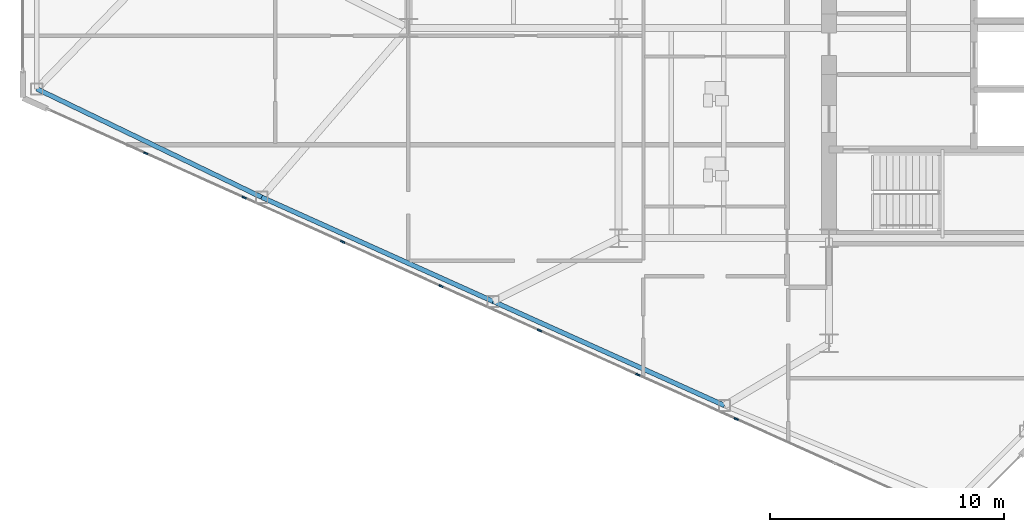
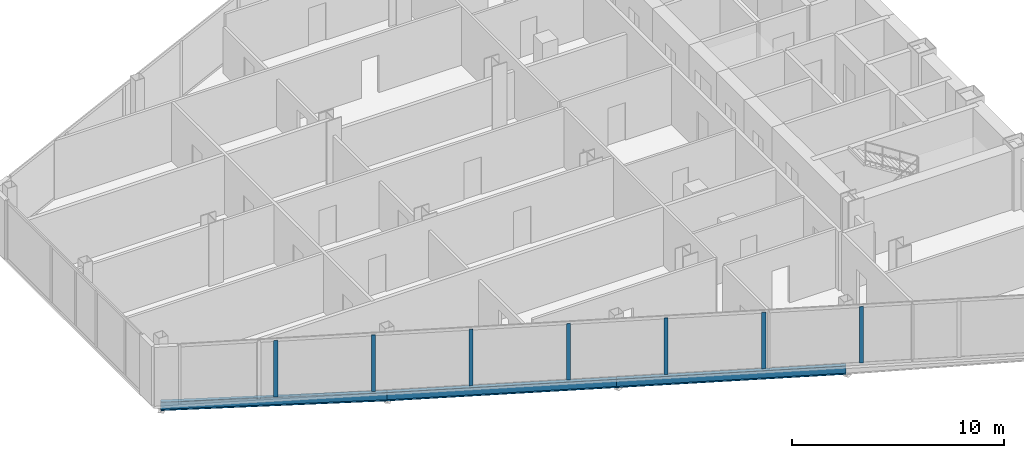
# One storey, part 3 of 27: 7 members, 3 beams, 1 element without a shape of its own.
"""IFC4 building model written with IfcOpenShell, lengths in metres."""

from ifc_helpers import new_model, si_unit, direction, frame, origin, origin_2d, place, context, subcontext, project, spatial, rectangle, i_section, extrude, source, transform, mapped, material, layer, layer_set, material_profile, profile_set, type_object, type_shapes, element, aggregate, save


model = new_model("IFC4")

# Units and contexts
model_context = context("Model", 3, precision=1e-05, world=origin(), true_north=direction((0.0, 1.0)))
body_context = subcontext(model_context, "Body", "Model", "MODEL_VIEW")
ifc_project = project(units=[si_unit("LENGTHUNIT", "METRE"), si_unit("AREAUNIT", "SQUARE_METRE"), si_unit("VOLUMEUNIT", "CUBIC_METRE"), si_unit("PLANEANGLEUNIT", "RADIAN"), si_unit("MASSUNIT", "GRAM", prefix="KILO")], contexts=[model_context])

# Site, building, storey
site_placement = place(None, origin())
site = spatial("IfcSite", under=ifc_project, at=site_placement, CompositionType="ELEMENT")
building_placement = place(site_placement, origin())
building = spatial("IfcBuilding", under=site, at=building_placement, Name="Seokmaru Belvedere", CompositionType="ELEMENT")
storey_placement = place(building_placement, frame((0.0, 0.0, 72.89990234375)))
storey = spatial("IfcBuildingStorey", under=building, at=storey_placement, Name="L19", CompositionType="ELEMENT", Elevation=72.89990234375)

# Beams
ifc_material_1 = material(Name="Steel SM355 (355 MPa)", Category="steel")
ifc_material_profile_1 = material_profile(ifc_material_1, i_section(OverallWidth=0.199951171875, OverallDepth=0.5, WebThickness=0.010009765625, FlangeThickness=0.01611328125, at=origin_2d()), Name="H-500x200x10x16")
ifc_profile_set_1 = profile_set([ifc_material_profile_1], Name="Steel SM355 (355 MPa)")
beam_type = type_object("IfcBeamType", Name="Perimeter Spandrel Beam H-500", PredefinedType="SPANDREL", material=ifc_profile_set_1)
shared_shape_1 = source(origin(), body_context, "Body", "SweptSolid", [
    extrude(i_section(OverallWidth=0.199951171875, OverallDepth=0.5, WebThickness=0.010009765625, FlangeThickness=0.01611328125, at=origin_2d()), origin(), (0.0, 0.0, 1.0), 10.85888671875),
])
for number, where, z_axis, x_axis, name in (
    (1, (-40.97265625, -20.661376953125, -0.469970703125), (-0.911921505175, 0.410364677329, 0.0), (-0.410364677329, -0.911921505175, 0.0), "L19 W Faceted Flank Spandrel S-2"),
    (2, (-50.875, -16.205322265625, -0.469970703125), (-0.911925291223, 0.410356263785, 0.0), (-0.410356263785, -0.911925291223, 0.0), "L19 W Faceted Flank Spandrel S-3"),
):
    element("IfcBeam", number, at=place(storey_placement, frame(where, z_axis=z_axis, x_axis=x_axis)), inside=storey, type_object=beam_type, Name=name, PredefinedType="SPANDREL", context=body_context, shape_type="MappedRepresentation", body=[
        mapped(shared_shape_1, transform((0.0, 0.0, 0.0), scale=1.0)),
    ])
shared_shape_2 = source(origin(), body_context, "Body", "SweptSolid", [
    extrude(i_section(OverallWidth=0.199951171875, OverallDepth=0.5, WebThickness=0.010009765625, FlangeThickness=0.01611328125, at=origin_2d()), origin(), (0.0, 0.0, 1.0), 10.681396484375),
])
type_shapes(beam_type, [shared_shape_1, shared_shape_2])
beam_placement = place(storey_placement, frame((-60.777587890625, -11.749267578125, -0.469970703125), z_axis=(-0.900846426616, 0.434137899352, 0.0), x_axis=(-0.434137899352, -0.900846426616, 0.0)))
element("IfcBeam", 3, at=beam_placement, inside=storey, type_object=beam_type, Name="L19 W Faceted Flank Spandrel S-4", PredefinedType="SPANDREL", context=body_context, shape_type="MappedRepresentation", body=[
    mapped(shared_shape_2, transform((0.0, 0.0, 0.0), scale=1.0)),
])

# Curtain wall, members
ifc_material_2 = material(Name="Bronze Triple Insulating Glass", Category="glass")
ifc_layer = layer(ifc_material_2, 0.195068359375)
ifc_layer_set = layer_set([ifc_layer], Name="Bronze Triple Insulating Glass")
curtain_wall_type = type_object("IfcCurtainWallType", Name="Lower-Mid Tapered Curtain Wall System CW-3", PredefinedType="NOTDEFINED", material=ifc_layer_set)
curtain_wall_placement = place(storey_placement, origin())
curtain_wall = element("IfcCurtainWall", 4, at=curtain_wall_placement, inside=storey, type_object=curtain_wall_type, Name="L19 Curtain Wall WF5", PredefinedType="NOTDEFINED")
ifc_material_3 = material(Name="Anodised Bronze Aluminium", Category="aluminium")
ifc_material_profile_2 = material_profile(ifc_material_3, rectangle(XDim=0.070068359375, YDim=0.195068359375, at=origin_2d()), Name="CW-M-70x195")
ifc_profile_set_2 = profile_set([ifc_material_profile_2], Name="Anodised Bronze Aluminium")
member_type = type_object("IfcMemberType", Name="Bronze Unitised Mullion 70x195", PredefinedType="MULLION", material=ifc_profile_set_2)
shared_shape_3 = source(origin(), body_context, "Body", "SweptSolid", [
    extrude(rectangle(XDim=0.070068359375, YDim=0.195068359375, at=origin_2d()), origin(), (0.0, 0.0, 1.0), 3.239990234375),
])
type_shapes(member_type, [shared_shape_3])
member_1_placement = place(storey_placement, frame((-65.739990234375, -9.866943359375, 0.070068359375), z_axis=(0.0, 0.0, 1.0), x_axis=(0.41036554765, 0.91192111353, 0.0)))
member_1 = element("IfcMember", 5, at=member_1_placement, type_object=member_type, Name="CW:L19:WF5 Mullion 2", PredefinedType="MULLION", context=body_context, shape_type="MappedRepresentation", body=[
    mapped(shared_shape_3, transform((0.0, 0.0, 0.0), scale=1.0)),
])
member_2_placement = place(storey_placement, frame((-61.528564453125, -11.76220703125, 0.070068359375), z_axis=(0.0, 0.0, 1.0), x_axis=(0.41036554765, 0.91192111353, 0.0)))
member_2 = element("IfcMember", 6, at=member_2_placement, type_object=member_type, Name="CW:L19:WF5 Mullion 3", PredefinedType="MULLION", context=body_context, shape_type="MappedRepresentation", body=[
    mapped(shared_shape_3, transform((0.0, 0.0, 0.0), scale=1.0)),
])
member_3_placement = place(storey_placement, frame((-57.317138671875, -13.6572265625, 0.070068359375), z_axis=(0.0, 0.0, 1.0), x_axis=(0.41036554765, 0.91192111353, 0.0)))
member_3 = element("IfcMember", 7, at=member_3_placement, type_object=member_type, Name="CW:L19:WF5 Mullion 4", PredefinedType="MULLION", context=body_context, shape_type="MappedRepresentation", body=[
    mapped(shared_shape_3, transform((0.0, 0.0, 0.0), scale=1.0)),
])
member_4_placement = place(storey_placement, frame((-53.105712890625, -15.552490234375, 0.070068359375), z_axis=(0.0, 0.0, 1.0), x_axis=(0.41036554765, 0.91192111353, 0.0)))
member_4 = element("IfcMember", 8, at=member_4_placement, type_object=member_type, Name="CW:L19:WF5 Mullion 5", PredefinedType="MULLION", context=body_context, shape_type="MappedRepresentation", body=[
    mapped(shared_shape_3, transform((0.0, 0.0, 0.0), scale=1.0)),
])
member_5_placement = place(storey_placement, frame((-48.894287109375, -17.447509765625, 0.070068359375), z_axis=(0.0, 0.0, 1.0), x_axis=(0.41036554765, 0.91192111353, 0.0)))
member_5 = element("IfcMember", 9, at=member_5_placement, type_object=member_type, Name="CW:L19:WF5 Mullion 6", PredefinedType="MULLION", context=body_context, shape_type="MappedRepresentation", body=[
    mapped(shared_shape_3, transform((0.0, 0.0, 0.0), scale=1.0)),
])
member_6_placement = place(storey_placement, frame((-44.682861328125, -19.3427734375, 0.070068359375), z_axis=(0.0, 0.0, 1.0), x_axis=(0.41036554765, 0.91192111353, 0.0)))
member_6 = element("IfcMember", 10, at=member_6_placement, type_object=member_type, Name="CW:L19:WF5 Mullion 7", PredefinedType="MULLION", context=body_context, shape_type="MappedRepresentation", body=[
    mapped(shared_shape_3, transform((0.0, 0.0, 0.0), scale=1.0)),
])
member_7_placement = place(storey_placement, frame((-40.471435546875, -21.23779296875, 0.070068359375), z_axis=(0.0, 0.0, 1.0), x_axis=(0.41036554765, 0.91192111353, 0.0)))
member_7 = element("IfcMember", 11, at=member_7_placement, type_object=member_type, Name="CW:L19:WF5 Mullion 8", PredefinedType="MULLION", context=body_context, shape_type="MappedRepresentation", body=[
    mapped(shared_shape_3, transform((0.0, 0.0, 0.0), scale=1.0)),
])
aggregate(curtain_wall, [member_1, member_2, member_3, member_4, member_5, member_6, member_7])

save(model, "model.ifc")
